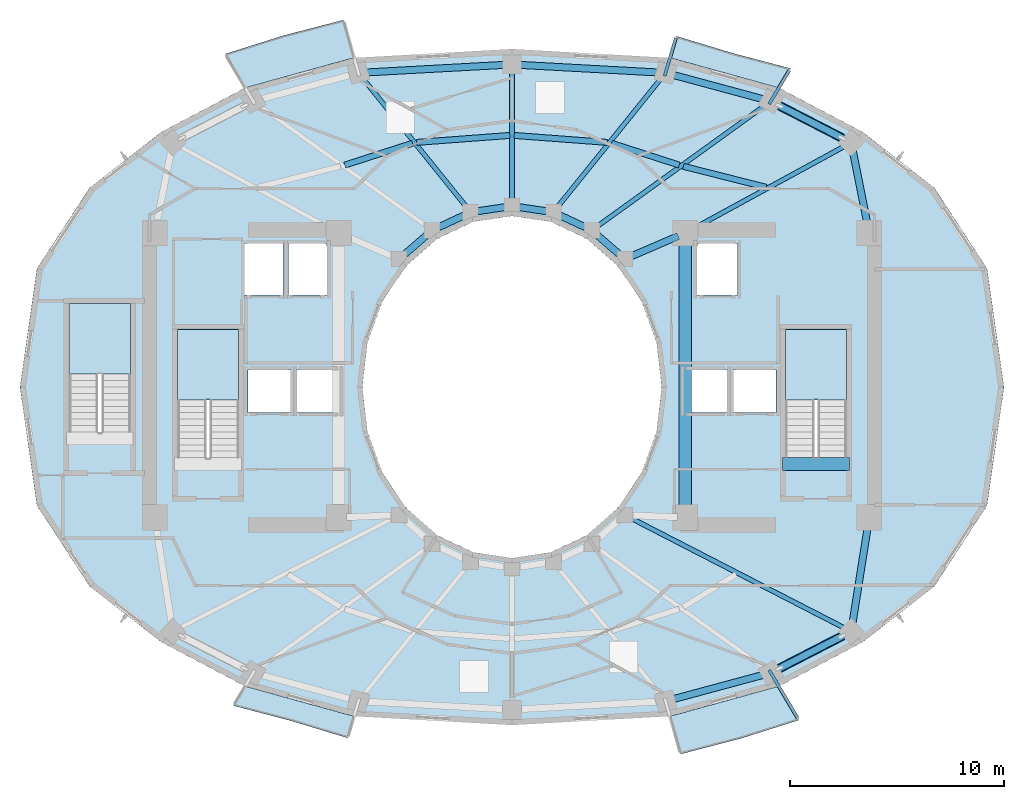
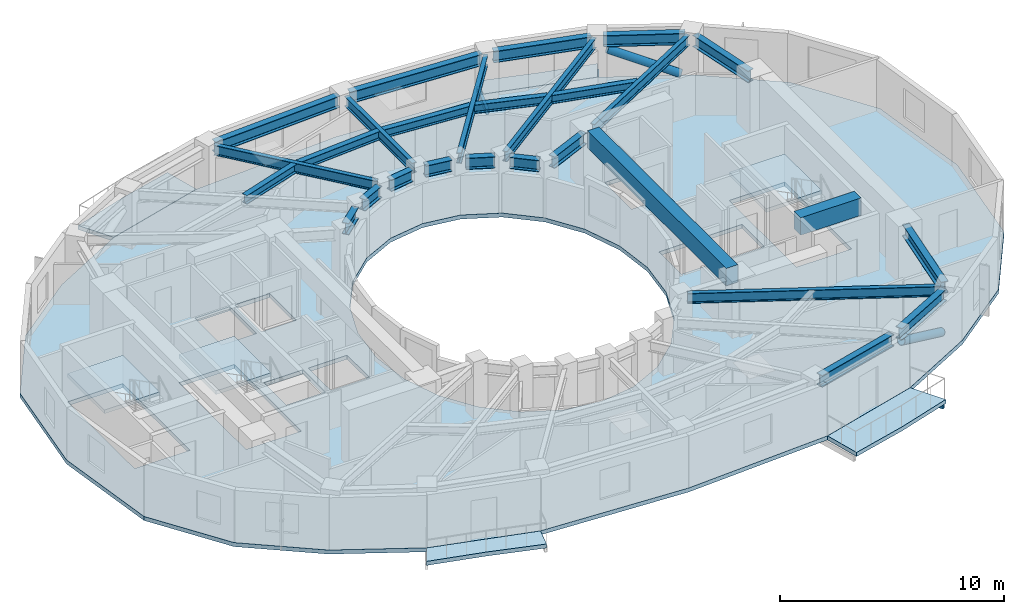
# One storey, part 2 of 10: 31 beams, 8 slabs, 2 members, 3 elements without a shape of their own.
"""IFC4 building model written with IfcOpenShell, lengths in metres."""

from ifc_helpers import new_model, si_unit, direction, frame, origin, origin_2d, place, context, subcontext, project, spatial, polyline, rectangle, hollow_rectangle, hollow_circle, i_section, outline, extrude, material, layer, layer_set, material_profile, profile_set, type_object, element, aggregate, save


model = new_model("IFC4")

# Units and contexts
model_context = context("Model", 3, precision=1e-05, world=origin(), true_north=direction((0.0, 1.0)))
body_context = subcontext(model_context, "Body", "Model", "MODEL_VIEW")
ifc_project = project(units=[si_unit("LENGTHUNIT", "METRE"), si_unit("AREAUNIT", "SQUARE_METRE"), si_unit("VOLUMEUNIT", "CUBIC_METRE"), si_unit("PLANEANGLEUNIT", "RADIAN"), si_unit("MASSUNIT", "GRAM", prefix="KILO")], contexts=[model_context])

# Site, building, storey
site_placement = place(None, origin())
site = spatial("IfcSite", under=ifc_project, at=site_placement, CompositionType="ELEMENT")
building_placement = place(site_placement, origin())
building = spatial("IfcBuilding", under=site, at=building_placement, Name="Solvane Sanctuary Tower", CompositionType="ELEMENT")
storey_placement = place(building_placement, frame((0.0, 0.0, 165.300048828125)))
storey = spatial("IfcBuildingStorey", under=building, at=storey_placement, Name="L50", CompositionType="ELEMENT", Elevation=165.300048828125)

# Beams
ifc_material_1 = material(Name="Steel ASTM A500 Grade C", Category="steel")
ifc_material_profile_1 = material_profile(ifc_material_1, hollow_rectangle(XDim=0.14990234375, YDim=0.300048828125, WallThickness=0.010009765625, at=origin_2d()), Name="HSS300X150X10")
ifc_profile_set_1 = profile_set([ifc_material_profile_1], Name="Steel ASTM A500 Grade C")
beam_type_1 = type_object("IfcBeamType", Name="Beam B-BALC-BRK HSS300X150X10", PredefinedType="BEAM", material=ifc_profile_set_1)
beam_1_placement = place(storey_placement, frame((44.02099609375, 36.230712890625, -0.3720703125), z_axis=(0.51428121496, 0.857621613498, 0.0), x_axis=(-0.857621613498, 0.51428121496, 0.0)))
element("IfcBeam", 1, at=beam_1_placement, inside=storey, type_object=beam_type_1, Name="L50 Balcony Bracket N1-1", PredefinedType="BEAM", context=body_context, shape_type="SweptSolid", body=[
    extrude(hollow_rectangle(XDim=0.14990234375, YDim=0.300048828125, WallThickness=0.010009765625, at=origin_2d()), origin(), (0.0, 0.0, 1.0), 1.841064453125),
])
beam_2_placement = place(storey_placement, frame((39.135986328125, 37.542724609375, -0.3720703125), z_axis=(0.282517844472, 0.959262043216, 0.0), x_axis=(-0.959262043216, 0.282517844472, 0.0)))
element("IfcBeam", 2, at=beam_2_placement, inside=storey, type_object=beam_type_1, Name="L50 Balcony Bracket N1-2", PredefinedType="BEAM", context=body_context, shape_type="SweptSolid", body=[
    extrude(hollow_rectangle(XDim=0.14990234375, YDim=0.300048828125, WallThickness=0.010009765625, at=origin_2d()), origin(), (0.0, 0.0, 1.0), 1.84228515625),
])
beam_3_placement = place(storey_placement, frame((44.021484375, 9.769775390625, -0.3720703125), z_axis=(0.509981141169, -0.8601855821, 0.0), x_axis=(0.8601855821, 0.509981141169, 0.0)))
element("IfcBeam", 3, at=beam_3_placement, inside=storey, type_object=beam_type_1, Name="L50 Balcony Bracket S2-2", PredefinedType="BEAM", context=body_context, shape_type="SweptSolid", body=[
    extrude(hollow_rectangle(XDim=0.14990234375, YDim=0.300048828125, WallThickness=0.010009765625, at=origin_2d()), origin(), (0.0, 0.0, 1.0), 2.62060546875),
])
ifc_material_2 = material(Name="Concrete C70/85", Category="concrete")
ifc_material_profile_2 = material_profile(ifc_material_2, rectangle(XDim=0.60009765625, YDim=0.949951171875, at=origin_2d()), Name="RC600X950")
ifc_profile_set_2 = profile_set([ifc_material_profile_2], Name="Concrete C70/85")
beam_type_2 = type_object("IfcBeamType", Name="Beam B-COUPLE RC600X950", PredefinedType="LINTEL", material=ifc_profile_set_2)
beam_4_placement = place(storey_placement, frame((40.10009765625, 17.35009765625, 2.625), z_axis=(0.0, 1.0, 0.0), x_axis=(-1.0, 0.0, 0.0)))
element("IfcBeam", 4, at=beam_4_placement, inside=storey, type_object=beam_type_2, Name="L50 East Core Coupling Lintel", PredefinedType="LINTEL", context=body_context, shape_type="SweptSolid", body=[
    extrude(rectangle(XDim=0.60009765625, YDim=0.949951171875, at=origin_2d()), origin(), (0.0, 0.0, 1.0), 12.39990234375),
])
beam_5_placement = place(storey_placement, frame((44.64990234375, 19.399169921875, 2.625), z_axis=(1.0, 0.0, 0.0), x_axis=(0.0, 1.0, 0.0)))
element("IfcBeam", 5, at=beam_5_placement, inside=storey, type_object=beam_type_2, Name="L50 ST-2 Stair Floor Landing Trimmer", PredefinedType="LINTEL", context=body_context, shape_type="SweptSolid", body=[
    extrude(rectangle(XDim=0.60009765625, YDim=0.949951171875, at=origin_2d()), origin(), (0.0, 0.0, 1.0), 3.1201171875),
])
ifc_material_3 = material(Name="Steel ASTM A992 Grade 50", Category="steel")
ifc_material_profile_3 = material_profile(ifc_material_3, i_section(OverallWidth=0.214111328125, OverallDepth=0.549072265625, WebThickness=0.0146484375, FlangeThickness=0.023681640625, FilletRadius=0.014892578125, at=origin_2d()), Name="W21X93")
ifc_profile_set_3 = profile_set([ifc_material_profile_3], Name="Steel ASTM A992 Grade 50")
beam_type_3 = type_object("IfcBeamType", Name="Beam B-RAD-Z3 W21X93", PredefinedType="JOIST", material=ifc_profile_set_3)
beam_6_placement = place(storey_placement, frame((40.416015625, 30.372314453125, 2.603515625), z_axis=(0.878108435277, 0.478461676516, 0.0), x_axis=(-0.478461676516, 0.878108435277, 0.0)))
element("IfcBeam", 6, at=beam_6_placement, inside=storey, type_object=beam_type_3, Name="L50 Radial Composite Floor Beam 01", PredefinedType="JOIST", context=body_context, shape_type="SweptSolid", body=[
    extrude(i_section(OverallWidth=0.214111328125, OverallDepth=0.549072265625, WebThickness=0.0146484375, FlangeThickness=0.023681640625, FilletRadius=0.014892578125, at=origin_2d()), origin(), (0.0, 0.0, 1.0), 8.193359375),
])
beam_7_placement = place(storey_placement, frame((35.95703125, 30.490234375, 2.603515625), z_axis=(0.811184384633, 0.584790470277, 0.0), x_axis=(-0.584790470277, 0.811184384633, 0.0)))
element("IfcBeam", 7, at=beam_7_placement, inside=storey, type_object=beam_type_3, Name="L50 Radial Composite Floor Beam 02", PredefinedType="JOIST", context=body_context, shape_type="SweptSolid", body=[
    extrude(i_section(OverallWidth=0.214111328125, OverallDepth=0.549072265625, WebThickness=0.0146484375, FlangeThickness=0.023681640625, FilletRadius=0.014892578125, at=origin_2d()), origin(), (0.0, 0.0, 1.0), 9.756103515625),
])
beam_8_placement = place(storey_placement, frame((34.1064453125, 31.389892578125, 2.603515625), z_axis=(0.627296867999, 0.778780225352, 0.0), x_axis=(-0.778780225352, 0.627296867999, 0.0)))
element("IfcBeam", 8, at=beam_8_placement, inside=storey, type_object=beam_type_3, Name="L50 Radial Composite Floor Beam 03", PredefinedType="JOIST", context=body_context, shape_type="SweptSolid", body=[
    extrude(i_section(OverallWidth=0.214111328125, OverallDepth=0.549072265625, WebThickness=0.0146484375, FlangeThickness=0.023681640625, FilletRadius=0.014892578125, at=origin_2d()), origin(), (0.0, 0.0, 1.0), 7.805419921875),
])
beam_9_placement = place(storey_placement, frame((32.0, 31.739990234375, 2.603515625), z_axis=(0.0, 1.0, 0.0), x_axis=(-1.0, 0.0, 0.0)))
element("IfcBeam", 9, at=beam_9_placement, inside=storey, type_object=beam_type_3, Name="L50 Radial Composite Floor Beam 04", PredefinedType="JOIST", context=body_context, shape_type="SweptSolid", body=[
    extrude(i_section(OverallWidth=0.214111328125, OverallDepth=0.549072265625, WebThickness=0.0146484375, FlangeThickness=0.023681640625, FilletRadius=0.014892578125, at=origin_2d()), origin(), (0.0, 0.0, 1.0), 6.06005859375),
])
beam_10_placement = place(storey_placement, frame((29.8935546875, 31.389892578125, 2.603515625), z_axis=(-0.627296867999, 0.778780225352, 0.0), x_axis=(-0.778780225352, -0.627296867999, 0.0)))
element("IfcBeam", 10, at=beam_10_placement, inside=storey, type_object=beam_type_3, Name="L50 Radial Composite Floor Beam 05", PredefinedType="JOIST", context=body_context, shape_type="SweptSolid", body=[
    extrude(i_section(OverallWidth=0.214111328125, OverallDepth=0.549072265625, WebThickness=0.0146484375, FlangeThickness=0.023681640625, FilletRadius=0.014892578125, at=origin_2d()), origin(), (0.0, 0.0, 1.0), 7.805419921875),
])
beam_11_placement = place(storey_placement, frame((37.52392578125, 16.889892578125, 2.603515625), z_axis=(0.889204980299, -0.457509019595, 0.0), x_axis=(0.457509019595, 0.889204980299, 0.0)))
element("IfcBeam", 11, at=beam_11_placement, inside=storey, type_object=beam_type_3, Name="L50 Radial Composite Floor Beam 14", PredefinedType="JOIST", context=body_context, shape_type="SweptSolid", body=[
    extrude(i_section(OverallWidth=0.214111328125, OverallDepth=0.549072265625, WebThickness=0.0146484375, FlangeThickness=0.023681640625, FilletRadius=0.014892578125, at=origin_2d()), origin(), (0.0, 0.0, 1.0), 11.340087890625),
])
ifc_material_profile_4 = material_profile(ifc_material_3, i_section(OverallWidth=0.324951171875, OverallDepth=0.615966796875, WebThickness=0.013916015625, FlangeThickness=0.021484375, FilletRadius=0.01611328125, at=origin_2d()), Name="W24X117")
ifc_profile_set_4 = profile_set([ifc_material_profile_4], Name="Steel ASTM A992 Grade 50")
beam_type_4 = type_object("IfcBeamType", Name="Beam B-RING-IN2 W24X117", PredefinedType="BEAM", material=ifc_profile_set_4)
beam_12_placement = place(storey_placement, frame((26.9853515625, 29.20849609375, 2.570068359375), z_axis=(0.754311313851, 0.656516901379, 0.0), x_axis=(-0.656516901379, 0.754311313851, 0.0)))
element("IfcBeam", 12, at=beam_12_placement, inside=storey, type_object=beam_type_4, Name="L50 Inner Light-Well Ring Beam IC07-IC06", PredefinedType="BEAM", context=body_context, shape_type="SweptSolid", body=[
    extrude(i_section(OverallWidth=0.324951171875, OverallDepth=0.615966796875, WebThickness=0.013916015625, FlangeThickness=0.021484375, FilletRadius=0.01611328125, at=origin_2d()), origin(), (0.0, 0.0, 1.0), 1.358154296875),
])
beam_13_placement = place(storey_placement, frame((28.582275390625, 30.473388671875, 2.570068359375), z_axis=(0.9051808128, 0.425026700502, 0.0), x_axis=(-0.425026700502, 0.9051808128, 0.0)))
element("IfcBeam", 13, at=beam_13_placement, inside=storey, type_object=beam_type_4, Name="L50 Inner Light-Well Ring Beam IC06-IC05", PredefinedType="BEAM", context=body_context, shape_type="SweptSolid", body=[
    extrude(i_section(OverallWidth=0.324951171875, OverallDepth=0.615966796875, WebThickness=0.013916015625, FlangeThickness=0.021484375, FilletRadius=0.01611328125, at=origin_2d()), origin(), (0.0, 0.0, 1.0), 1.297607421875),
])
for number, where, z_axis, x_axis, name in (
    (14, (30.410400390625, 31.22265625, 2.570068359375), (0.989019905763, 0.147782360259, 0.0), (-0.147782360259, 0.989019905763, 0.0), "L50 Inner Light-Well Ring Beam IC05-IC04"),
    (15, (32.34130859375, 31.4091796875, 2.570068359375), (0.989019905763, -0.147782360259, 0.0), (0.147782360259, 0.989019905763, 0.0), "L50 Inner Light-Well Ring Beam IC04-IC03"),
):
    element("IfcBeam", number, at=place(storey_placement, frame(where, z_axis=z_axis, x_axis=x_axis)), inside=storey, type_object=beam_type_4, Name=name, PredefinedType="BEAM", context=body_context, shape_type="SweptSolid", body=[
        extrude(i_section(OverallWidth=0.324951171875, OverallDepth=0.615966796875, WebThickness=0.013916015625, FlangeThickness=0.021484375, FilletRadius=0.01611328125, at=origin_2d()), origin(), (0.0, 0.0, 1.0), 1.26220703125),
    ])
beam_14_placement = place(storey_placement, frame((34.2431640625, 31.02490234375, 2.570068359375), z_axis=(0.9051808128, -0.425026700502, 0.0), x_axis=(0.425026700502, 0.9051808128, 0.0)))
element("IfcBeam", 16, at=beam_14_placement, inside=storey, type_object=beam_type_4, Name="L50 Inner Light-Well Ring Beam IC03-IC02", PredefinedType="BEAM", context=body_context, shape_type="SweptSolid", body=[
    extrude(i_section(OverallWidth=0.324951171875, OverallDepth=0.615966796875, WebThickness=0.013916015625, FlangeThickness=0.021484375, FilletRadius=0.01611328125, at=origin_2d()), origin(), (0.0, 0.0, 1.0), 1.297607421875),
])
beam_15_placement = place(storey_placement, frame((35.990234375, 30.10009765625, 2.570068359375), z_axis=(0.754311313851, -0.656516901379, 0.0), x_axis=(0.656516901379, 0.754311313851, 0.0)))
element("IfcBeam", 17, at=beam_15_placement, inside=storey, type_object=beam_type_4, Name="L50 Inner Light-Well Ring Beam IC02-IC01", PredefinedType="BEAM", context=body_context, shape_type="SweptSolid", body=[
    extrude(i_section(OverallWidth=0.324951171875, OverallDepth=0.615966796875, WebThickness=0.013916015625, FlangeThickness=0.021484375, FilletRadius=0.01611328125, at=origin_2d()), origin(), (0.0, 0.0, 1.0), 1.358154296875),
])
beam_16_placement = place(storey_placement, frame((37.591796875, 29.11865234375, 2.570068359375), z_axis=(0.918264067649, 0.395968561966, 0.0), x_axis=(-0.395968561966, 0.918264067649, 0.0)))
element("IfcBeam", 18, at=beam_16_placement, inside=storey, type_object=beam_type_4, Name="L50 Inner Light-Well Ring Beam IC01-CE4", PredefinedType="BEAM", context=body_context, shape_type="SweptSolid", body=[
    extrude(i_section(OverallWidth=0.324951171875, OverallDepth=0.615966796875, WebThickness=0.013916015625, FlangeThickness=0.021484375, FilletRadius=0.01611328125, at=origin_2d()), origin(), (0.0, 0.0, 1.0), 2.371337890625),
])
ifc_material_profile_5 = material_profile(ifc_material_3, i_section(OverallWidth=0.280029296875, OverallDepth=0.462890625, WebThickness=0.0107421875, FlangeThickness=0.017333984375, FilletRadius=0.013916015625, at=origin_2d()), Name="W18X76")
ifc_profile_set_5 = profile_set([ifc_material_profile_5], Name="Steel ASTM A992 Grade 50")
beam_type_5 = type_object("IfcBeamType", Name="Beam B-SEC-JOIST W18X76", PredefinedType="JOIST", material=ifc_profile_set_5)
beam_17_placement = place(storey_placement, frame((24.18310546875, 33.37451171875, 2.646484375), z_axis=(0.951520984169, 0.307583836842, 0.0), x_axis=(-0.307583836842, 0.951520984169, 0.0)))
element("IfcBeam", 19, at=beam_17_placement, inside=storey, type_object=beam_type_5, Name="L50 Secondary Circumferential Joist 06-05", PredefinedType="JOIST", context=body_context, shape_type="SweptSolid", body=[
    extrude(i_section(OverallWidth=0.280029296875, OverallDepth=0.462890625, WebThickness=0.0107421875, FlangeThickness=0.017333984375, FilletRadius=0.013916015625, at=origin_2d()), origin(), (0.0, 0.0, 1.0), 3.32666015625),
])
for number, where, z_axis, x_axis, name in (
    (20, (27.547119140625, 34.436767578125, 2.646484375), (0.99721035762, 0.074642498994, 0.0), (-0.074642498994, 0.99721035762, 0.0), "L50 Secondary Circumferential Joist 05-04"),
    (21, (32.101806640625, 34.762451171875, 2.646484375), (0.99721035762, -0.074642498994, 0.0), (0.074642498994, 0.99721035762, 0.0), "L50 Secondary Circumferential Joist 04-03"),
):
    element("IfcBeam", number, at=place(storey_placement, frame(where, z_axis=z_axis, x_axis=x_axis)), inside=storey, type_object=beam_type_5, Name=name, PredefinedType="JOIST", context=body_context, shape_type="SweptSolid", body=[
        extrude(i_section(OverallWidth=0.280029296875, OverallDepth=0.462890625, WebThickness=0.0107421875, FlangeThickness=0.017333984375, FilletRadius=0.013916015625, at=origin_2d()), origin(), (0.0, 0.0, 1.0), 4.36328125),
    ])
beam_18_placement = place(storey_placement, frame((36.651611328125, 34.397705078125, 2.646484375), z_axis=(0.951520984169, -0.307583836842, 0.0), x_axis=(0.307583836842, 0.951520984169, 0.0)))
element("IfcBeam", 22, at=beam_18_placement, inside=storey, type_object=beam_type_5, Name="L50 Secondary Circumferential Joist 03-02", PredefinedType="JOIST", context=body_context, shape_type="SweptSolid", body=[
    extrude(i_section(OverallWidth=0.280029296875, OverallDepth=0.462890625, WebThickness=0.0107421875, FlangeThickness=0.017333984375, FilletRadius=0.013916015625, at=origin_2d()), origin(), (0.0, 0.0, 1.0), 3.32666015625),
])
beam_19_placement = place(storey_placement, frame((40.012939453125, 33.31787109375, 2.646484375), z_axis=(0.969378020231, -0.245573316737, 0.0), x_axis=(0.245573316737, 0.969378020231, 0.0)))
element("IfcBeam", 23, at=beam_19_placement, inside=storey, type_object=beam_type_5, Name="L50 Secondary Circumferential Joist 02-01", PredefinedType="JOIST", context=body_context, shape_type="SweptSolid", body=[
    extrude(i_section(OverallWidth=0.280029296875, OverallDepth=0.462890625, WebThickness=0.0107421875, FlangeThickness=0.017333984375, FilletRadius=0.013916015625, at=origin_2d()), origin(), (0.0, 0.0, 1.0), 3.988525390625),
])
ifc_material_profile_6 = material_profile(ifc_material_3, i_section(OverallWidth=0.327880859375, OverallDepth=0.6279296875, WebThickness=0.0166015625, FlangeThickness=0.027587890625, FilletRadius=0.01611328125, at=origin_2d()), Name="W24X146")
ifc_profile_set_6 = profile_set([ifc_material_profile_6], Name="Steel ASTM A992 Grade 50")
beam_type_6 = type_object("IfcBeamType", Name="Beam B-SPAND-Z3 W24X146", PredefinedType="SPANDREL", material=ifc_profile_set_6)
for number, where, z_axis, x_axis, name in (
    (24, (25.101318359375, 37.701904296875, 2.56396484375), (0.998501325362, 0.054727536496, 0.0), (-0.054727536496, 0.998501325362, 0.0), "L50 Perimeter Spandrel Beam TC05-TC04"),
    (25, (32.279541015625, 38.064697265625, 2.56396484375), (0.998501325362, -0.054727536496, 0.0), (0.054727536496, 0.998501325362, 0.0), "L50 Perimeter Spandrel Beam TC04-TC03"),
):
    element("IfcBeam", number, at=place(storey_placement, frame(where, z_axis=z_axis, x_axis=x_axis)), inside=storey, type_object=beam_type_6, Name=name, PredefinedType="SPANDREL", context=body_context, shape_type="SweptSolid", body=[
        extrude(i_section(OverallWidth=0.327880859375, OverallDepth=0.6279296875, WebThickness=0.0166015625, FlangeThickness=0.027587890625, FilletRadius=0.01611328125, at=origin_2d()), origin(), (0.0, 0.0, 1.0), 6.629150390625),
    ])
beam_20_placement = place(storey_placement, frame((39.448486328125, 37.61376953125, 2.56396484375), z_axis=(0.965473224565, -0.260502308334, 0.0), x_axis=(0.260502308334, 0.965473224565, 0.0)))
element("IfcBeam", 26, at=beam_20_placement, inside=storey, type_object=beam_type_6, Name="L50 Perimeter Spandrel Beam TC03-TC02", PredefinedType="SPANDREL", context=body_context, shape_type="SweptSolid", body=[
    extrude(i_section(OverallWidth=0.327880859375, OverallDepth=0.6279296875, WebThickness=0.0166015625, FlangeThickness=0.027587890625, FilletRadius=0.01611328125, at=origin_2d()), origin(), (0.0, 0.0, 1.0), 4.535888671875),
])
beam_21_placement = place(storey_placement, frame((44.34716796875, 36.231201171875, 2.56396484375), z_axis=(0.889295540094, -0.457332966632, 0.0), x_axis=(0.457332966632, 0.889295540094, 0.0)))
element("IfcBeam", 27, at=beam_21_placement, inside=storey, type_object=beam_type_6, Name="L50 Perimeter Spandrel Beam TC02-TC01", PredefinedType="SPANDREL", context=body_context, shape_type="SweptSolid", body=[
    extrude(i_section(OverallWidth=0.327880859375, OverallDepth=0.6279296875, WebThickness=0.0166015625, FlangeThickness=0.027587890625, FilletRadius=0.01611328125, at=origin_2d()), origin(), (0.0, 0.0, 1.0), 3.66650390625),
])
beam_22_placement = place(storey_placement, frame((47.911376953125, 34.15185546875, 2.56396484375), z_axis=(0.195715452505, -0.980660727087, 0.0), x_axis=(0.980660727087, 0.195715452505, 0.0)))
element("IfcBeam", 28, at=beam_22_placement, inside=storey, type_object=beam_type_6, Name="L50 Perimeter Spandrel Beam TC01-CE3", PredefinedType="SPANDREL", context=body_context, shape_type="SweptSolid", body=[
    extrude(i_section(OverallWidth=0.327880859375, OverallDepth=0.6279296875, WebThickness=0.0166015625, FlangeThickness=0.027587890625, FilletRadius=0.01611328125, at=origin_2d()), origin(), (0.0, 0.0, 1.0), 3.749755859375),
])
beam_23_placement = place(storey_placement, frame((39.448486328125, 8.38623046875, 2.56396484375), z_axis=(0.965473224565, 0.260502308334, 0.0), x_axis=(-0.260502308334, 0.965473224565, 0.0)))
element("IfcBeam", 29, at=beam_23_placement, inside=storey, type_object=beam_type_6, Name="L50 Perimeter Spandrel Beam TC12-TC13", PredefinedType="SPANDREL", context=body_context, shape_type="SweptSolid", body=[
    extrude(i_section(OverallWidth=0.327880859375, OverallDepth=0.6279296875, WebThickness=0.0166015625, FlangeThickness=0.027587890625, FilletRadius=0.01611328125, at=origin_2d()), origin(), (0.0, 0.0, 1.0), 4.535888671875),
])
beam_24_placement = place(storey_placement, frame((44.34716796875, 9.768798828125, 2.56396484375), z_axis=(0.889295540094, 0.457332966632, 0.0), x_axis=(-0.457332966632, 0.889295540094, 0.0)))
element("IfcBeam", 30, at=beam_24_placement, inside=storey, type_object=beam_type_6, Name="L50 Perimeter Spandrel Beam TC13-TC14", PredefinedType="SPANDREL", context=body_context, shape_type="SweptSolid", body=[
    extrude(i_section(OverallWidth=0.327880859375, OverallDepth=0.6279296875, WebThickness=0.0166015625, FlangeThickness=0.027587890625, FilletRadius=0.01611328125, at=origin_2d()), origin(), (0.0, 0.0, 1.0), 3.66650390625),
])
beam_25_placement = place(storey_placement, frame((47.900390625, 11.85009765625, 2.56396484375), z_axis=(0.156406167317, 0.987692822099, 0.0), x_axis=(-0.987692822099, 0.156406167317, 0.0)))
element("IfcBeam", 31, at=beam_25_placement, inside=storey, type_object=beam_type_6, Name="L50 Perimeter Spandrel Beam TC14-CE2", PredefinedType="SPANDREL", context=body_context, shape_type="SweptSolid", body=[
    extrude(i_section(OverallWidth=0.327880859375, OverallDepth=0.6279296875, WebThickness=0.0166015625, FlangeThickness=0.027587890625, FilletRadius=0.01611328125, at=origin_2d()), origin(), (0.0, 0.0, 1.0), 4.832763671875),
])

# Members
ifc_material_profile_7 = material_profile(ifc_material_3, hollow_circle(Radius=0.202880859375, WallThickness=0.012451171875, at=origin_2d()), Name="CHS406X12.5")
ifc_profile_set_7 = profile_set([ifc_material_profile_7], Name="Steel ASTM A992 Grade 50")
member_type = type_object("IfcMemberType", Name="Member M-TUBE-Z3 CHS406X12.5", PredefinedType="BRACE", material=ifc_profile_set_7)
for number, where, z_axis, x_axis, name in (
    (32, (47.42822265625, 34.646728515625, 0.593017578125), (-0.813229340921, 0.418236115998, 0.404643782036), (-0.457351371069, -0.889286075108, 0.0), "L50 Perimeter Braced-Tube Diagonal NE"),
    (33, (47.42822265625, 11.353271484375, 0.593017578125), (-0.813229340921, -0.418236115998, 0.404643782036), (0.457351371069, -0.889286075108, 0.0), "L50 Perimeter Braced-Tube Diagonal SE"),
):
    element("IfcMember", number, at=place(storey_placement, frame(where, z_axis=z_axis, x_axis=x_axis)), inside=storey, type_object=member_type, Name=name, PredefinedType="BRACE", context=body_context, shape_type="SweptSolid", body=[
        extrude(hollow_circle(Radius=0.202880859375, WallThickness=0.012451171875, at=origin_2d()), origin(), (0.0, 0.0, 1.0), 3.59228515625),
    ])

# Slabs
ifc_material_4 = material(Name="Precast concrete C40/50", Category="concrete")
ifc_layer_1 = layer(ifc_material_4, 0.219970703125, Name="Precast concrete C40/50")
ifc_layer_set_1 = layer_set([ifc_layer_1], Name="Precast concrete C40/50")
slab_type_1 = type_object("IfcSlabType", Name="Slab SL-BALC-200", PredefinedType="FLOOR", material=ifc_layer_set_1)
slab_1_placement = place(storey_placement, frame((0.0, 0.0, -0.219970703125)))
element("IfcSlab", 34, at=slab_1_placement, inside=storey, type_object=slab_type_1, Name="L50 Wave Balcony Slab N1", PredefinedType="FLOOR", context=body_context, shape_type="SweptSolid", body=[
    extrude(outline(polyline([(45.019287109375, 37.8955078125), (42.33251953125, 38.603515625), (39.684814453125, 39.406005859375), (39.411376953125, 38.3857421875), (44.490234375, 36.981201171875), (45.019287109375, 37.8955078125)])), origin(), (0.0, 0.0, 1.0), 0.219970703125),
])
slab_2_placement = place(storey_placement, frame((0.0, 0.0, -0.219970703125)))
element("IfcSlab", 35, at=slab_2_placement, inside=storey, type_object=slab_type_1, Name="L50 Wave Balcony Slab N2", PredefinedType="FLOOR", context=body_context, shape_type="SweptSolid", body=[
    extrude(outline(polyline([(24.113525390625, 40.15869140625), (21.3232421875, 39.434814453125), (18.591064453125, 38.5703125), (19.509765625, 36.981201171875), (24.588623046875, 38.3857421875), (24.113525390625, 40.15869140625)])), origin(), (0.0, 0.0, 1.0), 0.219970703125),
])
slab_3_placement = place(storey_placement, frame((0.0, 0.0, -0.219970703125)))
element("IfcSlab", 36, at=slab_3_placement, inside=storey, type_object=slab_type_1, Name="L50 Wave Balcony Slab S1", PredefinedType="FLOOR", context=body_context, shape_type="SweptSolid", body=[
    extrude(outline(polyline([(18.980712890625, 8.1044921875), (21.66748046875, 7.396484375), (24.315185546875, 6.593994140625), (24.588623046875, 7.6142578125), (19.509765625, 9.018798828125), (18.980712890625, 8.1044921875)])), origin(), (0.0, 0.0, 1.0), 0.219970703125),
])
slab_4_placement = place(storey_placement, frame((0.0, 0.0, -0.219970703125)))
element("IfcSlab", 37, at=slab_4_placement, inside=storey, type_object=slab_type_1, Name="L50 Wave Balcony Slab S2", PredefinedType="FLOOR", context=body_context, shape_type="SweptSolid", body=[
    extrude(outline(polyline([(39.886474609375, 5.84130859375), (42.6767578125, 6.565185546875), (45.408935546875, 7.4296875), (44.490234375, 9.018798828125), (39.411376953125, 7.6142578125), (39.886474609375, 5.84130859375)])), origin(), (0.0, 0.0, 1.0), 0.219970703125),
])

# Stair, slab
ifc_material_5 = material(Name="Concrete C45/55", Category="concrete")
stair_type = type_object("IfcStairType", Name="Stair ST-TOW", PredefinedType="HALF_TURN_STAIR", material=ifc_material_5)
stair_1_placement = place(storey_placement, origin())
stair_1 = element("IfcStair", 38, at=stair_1_placement, inside=storey, type_object=stair_type, Name="L50 Exit Stair ST-1 West Core", PredefinedType="HALF_TURN_STAIR")
ifc_layer_2 = layer(ifc_material_5, 0.199951171875, Name="Concrete C45/55")
ifc_layer_set_2 = layer_set([ifc_layer_2], Name="Concrete C45/55")
slab_type_2 = type_object("IfcSlabType", Name="Slab SL-LAND-180", PredefinedType="LANDING", material=ifc_layer_set_2)
slab_5_placement = place(storey_placement, frame((0.0, 0.0, 1.349853515625)))
slab_5 = element("IfcSlab", 39, at=slab_5_placement, type_object=slab_type_2, Name="ST-1 landing 1", PredefinedType="LANDING", context=body_context, shape_type="SweptSolid", body=[
    extrude(outline(polyline([(19.219970703125, 22.39990234375), (19.219970703125, 25.699951171875), (16.360107421875, 25.699951171875), (16.360107421875, 22.39990234375), (19.219970703125, 22.39990234375)])), origin(), (0.0, 0.0, 1.0), 0.2001953125),
])
aggregate(stair_1, [slab_5])

stair_2_placement = place(storey_placement, origin())
stair_2 = element("IfcStair", 40, at=stair_2_placement, inside=storey, type_object=stair_type, Name="L50 Exit Stair ST-2 East Core", PredefinedType="HALF_TURN_STAIR")
slab_6_placement = place(storey_placement, frame((0.0, 0.0, 1.349853515625)))
slab_6 = element("IfcSlab", 41, at=slab_6_placement, type_object=slab_type_2, Name="ST-2 landing 1", PredefinedType="LANDING", context=body_context, shape_type="SweptSolid", body=[
    extrude(outline(polyline([(47.639892578125, 22.39990234375), (47.639892578125, 25.699951171875), (44.780029296875, 25.699951171875), (44.780029296875, 22.39990234375), (47.639892578125, 22.39990234375)])), origin(), (0.0, 0.0, 1.0), 0.2001953125),
])
aggregate(stair_2, [slab_6])

stair_3_placement = place(storey_placement, origin())
stair_3 = element("IfcStair", 42, at=stair_3_placement, inside=storey, type_object=stair_type, Name="L50 Exit Stair ST-3 Pilgrim Tower Stair", PredefinedType="HALF_TURN_STAIR")
slab_7_placement = place(storey_placement, frame((0.0, 0.0, 1.349853515625)))
slab_7 = element("IfcSlab", 43, at=slab_7_placement, type_object=slab_type_2, Name="ST-3 landing 1", PredefinedType="LANDING", context=body_context, shape_type="SweptSolid", body=[
    extrude(outline(polyline([(14.159912109375, 23.60009765625), (14.159912109375, 26.89990234375), (11.300048828125, 26.89990234375), (11.300048828125, 23.60009765625), (14.159912109375, 23.60009765625)])), origin(), (0.0, 0.0, 1.0), 0.2001953125),
])
aggregate(stair_3, [slab_7])

# Slab
ifc_layer_3 = layer(ifc_material_5, 0.219970703125, Name="Concrete C45/55")
ifc_layer_set_3 = layer_set([ifc_layer_3], Name="Concrete C45/55")
slab_type_3 = type_object("IfcSlabType", Name="Slab SL-TOW-220", PredefinedType="FLOOR", material=ifc_layer_set_3)
slab_8_placement = place(storey_placement, frame((0.0, 0.0, -0.219970703125)))
element("IfcSlab", 44, at=slab_8_placement, inside=storey, type_object=slab_type_3, Name="L50 Primary Structural Slab", PredefinedType="FLOOR", context=body_context, shape_type="SweptSolid", body=[
    extrude(outline(polyline([(55.0, 23.0), (54.205322265625, 28.54150390625), (51.7392578125, 32.3193359375), (48.368896484375, 34.938720703125), (44.489013671875, 36.977294921875), (39.410400390625, 38.3818359375), (32.0, 38.800048828125), (24.589599609375, 38.3818359375), (19.510986328125, 36.977294921875), (15.631103515625, 34.938720703125), (12.2607421875, 32.3193359375), (9.794677734375, 28.54150390625), (9.0, 23.0), (9.794677734375, 17.45849609375), (12.2607421875, 13.6806640625), (15.631103515625, 11.061279296875), (19.510986328125, 9.022705078125), (24.589599609375, 7.6181640625), (32.0, 7.199951171875), (39.410400390625, 7.6181640625), (44.489013671875, 9.022705078125), (48.368896484375, 11.061279296875), (51.7392578125, 13.6806640625), (54.205322265625, 17.45849609375), (55.0, 23.0)]), holes=[polyline([(38.761474609375, 20.929443359375), (38.062255859375, 19.0), (36.94970703125, 17.343017578125), (35.5, 16.07177734375), (33.811767578125, 15.272705078125), (32.0, 15.0), (30.188232421875, 15.272705078125), (28.5, 16.07177734375), (27.05029296875, 17.343017578125), (25.937744140625, 19.0), (25.238525390625, 20.929443359375), (25.0, 23.0), (25.238525390625, 25.070556640625), (25.937744140625, 27.0), (27.05029296875, 28.656982421875), (28.5, 29.92822265625), (30.188232421875, 30.727294921875), (32.0, 31.0), (33.811767578125, 30.727294921875), (35.5, 29.92822265625), (36.94970703125, 28.656982421875), (38.062255859375, 27.0), (38.761474609375, 25.070556640625), (39.0, 23.0), (38.761474609375, 20.929443359375)]), polyline([(16.360107421875, 19.699951171875), (16.360107421875, 25.699951171875), (19.219970703125, 25.699951171875), (19.219970703125, 19.699951171875), (16.360107421875, 19.699951171875)]), polyline([(44.780029296875, 19.699951171875), (44.780029296875, 25.699951171875), (47.639892578125, 25.699951171875), (47.639892578125, 19.699951171875), (44.780029296875, 19.699951171875)]), polyline([(11.300048828125, 20.89990234375), (11.300048828125, 26.89990234375), (14.159912109375, 26.89990234375), (14.159912109375, 20.89990234375), (11.300048828125, 20.89990234375)]), polyline([(19.64990234375, 23.800048828125), (21.64990234375, 23.800048828125), (21.64990234375, 21.800048828125), (19.64990234375, 21.800048828125), (19.64990234375, 23.800048828125)]), polyline([(42.35009765625, 23.800048828125), (44.35009765625, 23.800048828125), (44.35009765625, 21.800048828125), (42.35009765625, 21.800048828125), (42.35009765625, 23.800048828125)]), polyline([(21.949951171875, 23.800048828125), (23.949951171875, 23.800048828125), (23.949951171875, 21.800048828125), (21.949951171875, 21.800048828125), (21.949951171875, 23.800048828125)]), polyline([(40.050048828125, 23.800048828125), (42.050048828125, 23.800048828125), (42.050048828125, 21.800048828125), (40.050048828125, 21.800048828125), (40.050048828125, 23.800048828125)]), polyline([(19.5, 29.699951171875), (21.300048828125, 29.699951171875), (21.300048828125, 27.300048828125), (19.5, 27.300048828125), (19.5, 29.699951171875)]), polyline([(21.550048828125, 29.699951171875), (23.35009765625, 29.699951171875), (23.35009765625, 27.300048828125), (21.550048828125, 27.300048828125), (21.550048828125, 29.699951171875)]), polyline([(40.64990234375, 29.699951171875), (42.550048828125, 29.699951171875), (42.550048828125, 27.300048828125), (40.64990234375, 27.300048828125), (40.64990234375, 29.699951171875)])]), origin(), (0.0, 0.0, 1.0), 0.219970703125),
])

save(model, "model.ifc")
